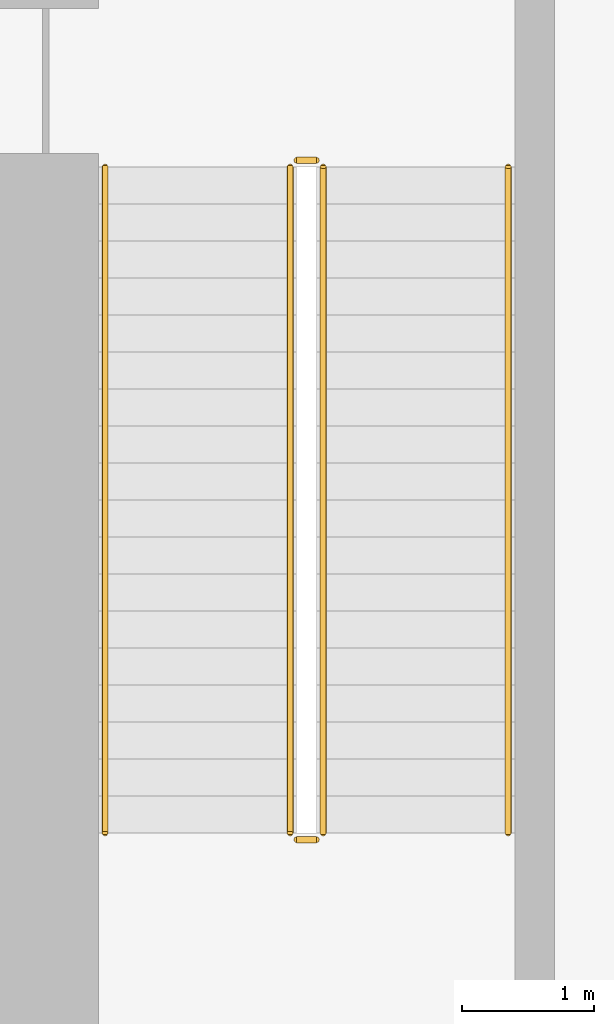
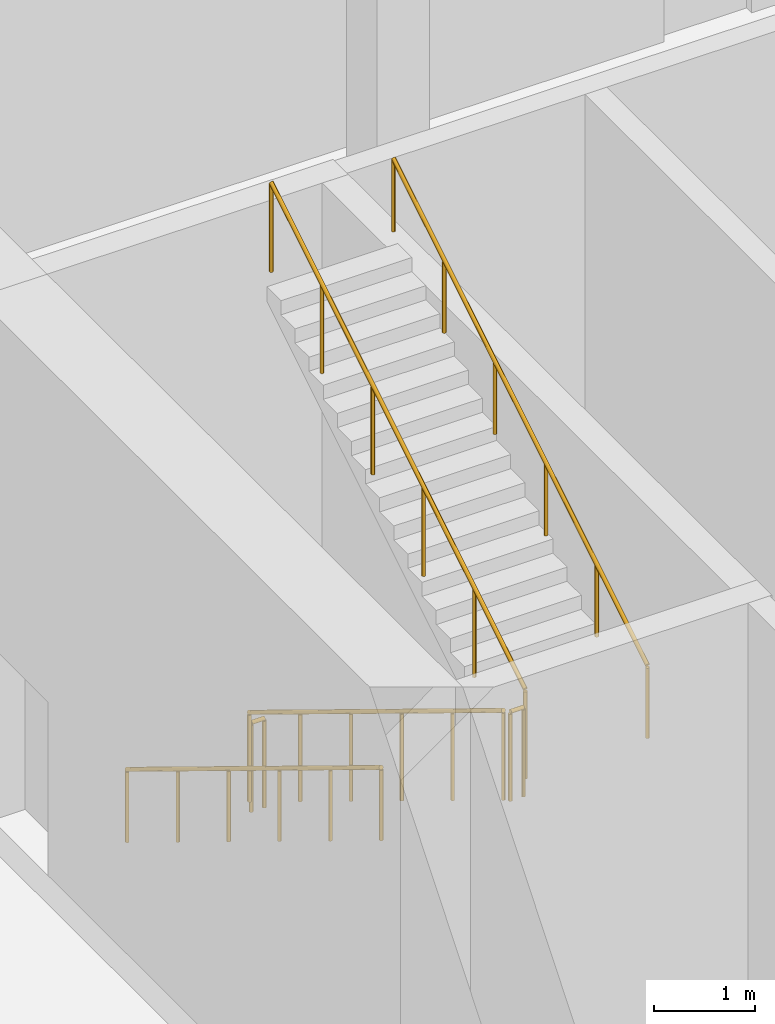
# One storey, part 41 of 51: 6 railings.
"""IFC4 building model written with IfcOpenShell, lengths in metres."""

from ifc_helpers import new_model, si_unit, direction, frame, origin, origin_2d, place, context, subcontext, project, spatial, circle, extrude, material, type_object, element, save


model = new_model("IFC4")

# Units and contexts
model_context = context("Model", 3, precision=1e-05, world=origin(), true_north=direction((0.0, 1.0)))
body_context = subcontext(model_context, "Body", "Model", "MODEL_VIEW")
ifc_project = project(units=[si_unit("LENGTHUNIT", "METRE"), si_unit("AREAUNIT", "SQUARE_METRE"), si_unit("VOLUMEUNIT", "CUBIC_METRE"), si_unit("PLANEANGLEUNIT", "RADIAN"), si_unit("MASSUNIT", "GRAM", prefix="KILO")], contexts=[model_context])

# Site, building, storey
site_placement = place(None, origin())
site = spatial("IfcSite", under=ifc_project, at=site_placement, CompositionType="ELEMENT")
building_placement = place(site_placement, origin())
building = spatial("IfcBuilding", under=site, at=building_placement, Name="Kiln Ring Residences", CompositionType="ELEMENT")
storey_placement = place(building_placement, origin())
storey = spatial("IfcBuildingStorey", under=building, at=storey_placement, Name="L00", CompositionType="ELEMENT", Elevation=0.0)

# Railings
ifc_material_1 = material(Name="Stainless steel", Category="steel")
railing_type_1 = type_object("IfcRailingType", Name="Hall stair guard 1100", PredefinedType="GUARDRAIL", material=ifc_material_1)
railing_1_placement = place(storey_placement, frame((-27.75, -140.85009765625, 0.171142578125)))
element("IfcRailing", 1, at=railing_1_placement, inside=storey, type_object=railing_type_1, Name="L00 HALL.ST3 stair guard 1", PredefinedType="GUARDRAIL", context=body_context, shape_type="SweptSolid", body=[
    extrude(circle(Radius=0.02392578125, at=origin_2d()), frame((0.0, 0.0, 1.076171875), z_axis=(0.0, -0.853358463929, 0.521324593742), x_axis=(1.0, 0.0, 0.0)), (0.0, 0.0, 1.0), 5.90576171875),
    extrude(circle(Radius=0.02099609375, at=origin_2d()), origin(), (0.0, 0.0, 1.0), 1.052001953125),
    extrude(circle(Radius=0.02099609375, at=origin_2d()), frame((0.0, -1.008056640625, 0.61572265625)), (0.0, 0.0, 1.0), 1.052001953125),
    extrude(circle(Radius=0.02099609375, at=origin_2d()), frame((0.0, -2.015869140625, 1.2314453125)), (0.0, 0.0, 1.0), 1.052001953125),
    extrude(circle(Radius=0.02099609375, at=origin_2d()), frame((0.0, -3.02392578125, 1.847412109375)), (0.0, 0.0, 1.0), 1.052001953125),
    extrude(circle(Radius=0.02099609375, at=origin_2d()), frame((0.0, -4.03173828125, 2.463134765625)), (0.0, 0.0, 1.0), 1.052001953125),
    extrude(circle(Radius=0.02099609375, at=origin_2d()), frame((0.0, -5.039794921875, 3.078857421875)), (0.0, 0.0, 1.0), 1.052001953125),
])
railing_2_placement = place(storey_placement, frame((-27.699951171875, -145.93994140625, 3.25)))
element("IfcRailing", 2, at=railing_2_placement, inside=storey, type_object=railing_type_1, Name="L00 HALL.ST3 stair guard 2", PredefinedType="GUARDRAIL", context=body_context, shape_type="SweptSolid", body=[
    extrude(circle(Radius=0.02392578125, at=origin_2d()), frame((0.0, 0.0, 1.076171875), z_axis=(1.0, 0.0, 0.0), x_axis=(0.0, 1.0, 0.0)), (0.0, 0.0, 1.0), 0.14990234375),
    extrude(circle(Radius=0.02099609375, at=origin_2d()), origin(), (0.0, 0.0, 1.0), 1.052001953125),
    extrude(circle(Radius=0.02099609375, at=origin_2d()), frame((0.14990234375, 0.0, 0.0)), (0.0, 0.0, 1.0), 1.052001953125),
])
railing_3_placement = place(storey_placement, frame((-27.5, -145.889892578125, 3.421142578125)))
element("IfcRailing", 3, at=railing_3_placement, inside=storey, type_object=railing_type_1, Name="L00 HALL.ST3 stair guard 3", PredefinedType="GUARDRAIL", context=body_context, shape_type="SweptSolid", body=[
    extrude(circle(Radius=0.02392578125, at=origin_2d()), frame((0.0, 0.0, 1.076171875), z_axis=(0.0, 0.853358463929, 0.521324593742), x_axis=(-1.0, 0.0, 0.0)), (0.0, 0.0, 1.0), 5.90576171875),
    extrude(circle(Radius=0.02099609375, at=origin_2d()), origin(), (0.0, 0.0, 1.0), 1.052001953125),
    extrude(circle(Radius=0.02099609375, at=origin_2d()), frame((0.0, 1.008056640625, 0.61572265625)), (0.0, 0.0, 1.0), 1.052001953125),
    extrude(circle(Radius=0.02099609375, at=origin_2d()), frame((0.0, 2.015869140625, 1.2314453125)), (0.0, 0.0, 1.0), 1.052001953125),
    extrude(circle(Radius=0.02099609375, at=origin_2d()), frame((0.0, 3.02392578125, 1.847412109375)), (0.0, 0.0, 1.0), 1.052001953125),
    extrude(circle(Radius=0.02099609375, at=origin_2d()), frame((0.0, 4.03173828125, 2.463134765625)), (0.0, 0.0, 1.0), 1.052001953125),
    extrude(circle(Radius=0.02099609375, at=origin_2d()), frame((0.0, 5.039794921875, 3.078857421875)), (0.0, 0.0, 1.0), 1.052001953125),
])
railing_4_placement = place(storey_placement, frame((-27.699951171875, -140.800048828125, 0.0)))
element("IfcRailing", 4, at=railing_4_placement, inside=storey, type_object=railing_type_1, Name="L00 HALL.ST3 stair guard 4", PredefinedType="GUARDRAIL", context=body_context, shape_type="SweptSolid", body=[
    extrude(circle(Radius=0.02392578125, at=origin_2d()), frame((0.0, 0.0, 1.076171875), z_axis=(1.0, 0.0, 0.0), x_axis=(0.0, 1.0, 0.0)), (0.0, 0.0, 1.0), 0.14990234375),
    extrude(circle(Radius=0.02099609375, at=origin_2d()), origin(), (0.0, 0.0, 1.0), 1.052001953125),
    extrude(circle(Radius=0.02099609375, at=origin_2d()), frame((0.14990234375, 0.0, 0.0)), (0.0, 0.0, 1.0), 1.052001953125),
])
ifc_material_2 = material(Name="Stainless steel", Category="steel")
railing_type_2 = type_object("IfcRailingType", Name="Hall stair handrail 900", PredefinedType="HANDRAIL", material=ifc_material_2)
railing_5_placement = place(storey_placement, frame((-29.14990234375, -140.85009765625, 0.171142578125)))
element("IfcRailing", 5, at=railing_5_placement, inside=storey, type_object=railing_type_2, Name="L00 HALL.ST3 stair handrail 1", PredefinedType="HANDRAIL", context=body_context, shape_type="SweptSolid", body=[
    extrude(circle(Radius=0.02392578125, at=origin_2d()), frame((0.0, 0.0, 0.8759765625), z_axis=(0.0, -0.853358463929, 0.521324593742), x_axis=(1.0, 0.0, 0.0)), (0.0, 0.0, 1.0), 5.90576171875),
    extrude(circle(Radius=0.02099609375, at=origin_2d()), origin(), (0.0, 0.0, 1.0), 0.851806640625),
    extrude(circle(Radius=0.02099609375, at=origin_2d()), frame((0.0, -1.008056640625, 0.61572265625)), (0.0, 0.0, 1.0), 0.851806640625),
    extrude(circle(Radius=0.02099609375, at=origin_2d()), frame((0.0, -2.015869140625, 1.2314453125)), (0.0, 0.0, 1.0), 0.851806640625),
    extrude(circle(Radius=0.02099609375, at=origin_2d()), frame((0.0, -3.02392578125, 1.847412109375)), (0.0, 0.0, 1.0), 0.851806640625),
    extrude(circle(Radius=0.02099609375, at=origin_2d()), frame((0.0, -4.03173828125, 2.463134765625)), (0.0, 0.0, 1.0), 0.851806640625),
    extrude(circle(Radius=0.02099609375, at=origin_2d()), frame((0.0, -5.039794921875, 3.078857421875)), (0.0, 0.0, 1.0), 0.851806640625),
])
railing_6_placement = place(storey_placement, frame((-26.10009765625, -145.889892578125, 3.421142578125)))
element("IfcRailing", 6, at=railing_6_placement, inside=storey, type_object=railing_type_2, Name="L00 HALL.ST3 stair handrail 2", PredefinedType="HANDRAIL", context=body_context, shape_type="SweptSolid", body=[
    extrude(circle(Radius=0.02392578125, at=origin_2d()), frame((0.0, 0.0, 0.8759765625), z_axis=(0.0, 0.853358463929, 0.521324593742), x_axis=(-1.0, 0.0, 0.0)), (0.0, 0.0, 1.0), 5.90576171875),
    extrude(circle(Radius=0.02099609375, at=origin_2d()), origin(), (0.0, 0.0, 1.0), 0.851806640625),
    extrude(circle(Radius=0.02099609375, at=origin_2d()), frame((0.0, 1.008056640625, 0.61572265625)), (0.0, 0.0, 1.0), 0.851806640625),
    extrude(circle(Radius=0.02099609375, at=origin_2d()), frame((0.0, 2.015869140625, 1.2314453125)), (0.0, 0.0, 1.0), 0.851806640625),
    extrude(circle(Radius=0.02099609375, at=origin_2d()), frame((0.0, 3.02392578125, 1.847412109375)), (0.0, 0.0, 1.0), 0.851806640625),
    extrude(circle(Radius=0.02099609375, at=origin_2d()), frame((0.0, 4.03173828125, 2.463134765625)), (0.0, 0.0, 1.0), 0.851806640625),
    extrude(circle(Radius=0.02099609375, at=origin_2d()), frame((0.0, 5.039794921875, 3.078857421875)), (0.0, 0.0, 1.0), 0.851806640625),
])

save(model, "model.ifc")
